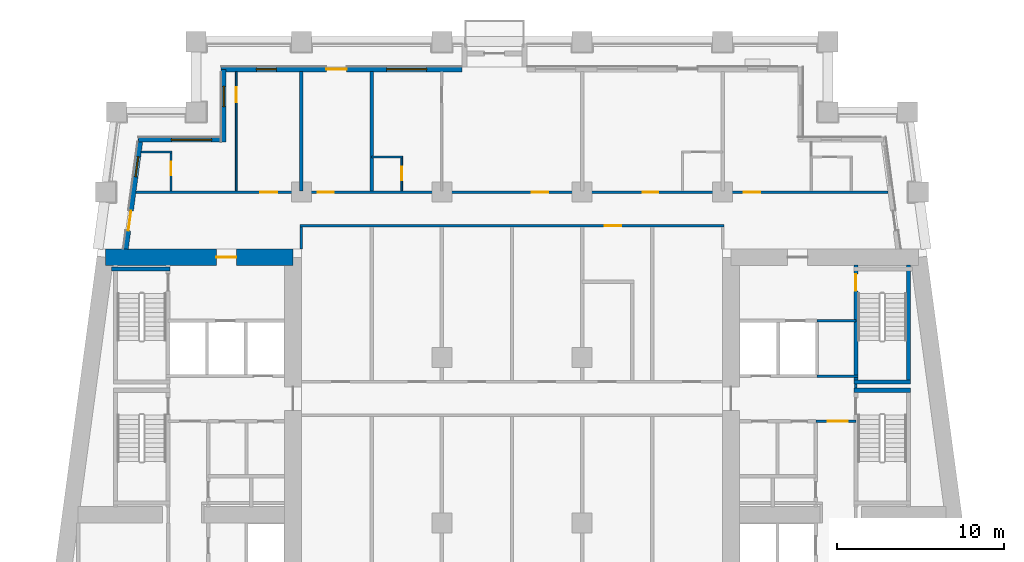
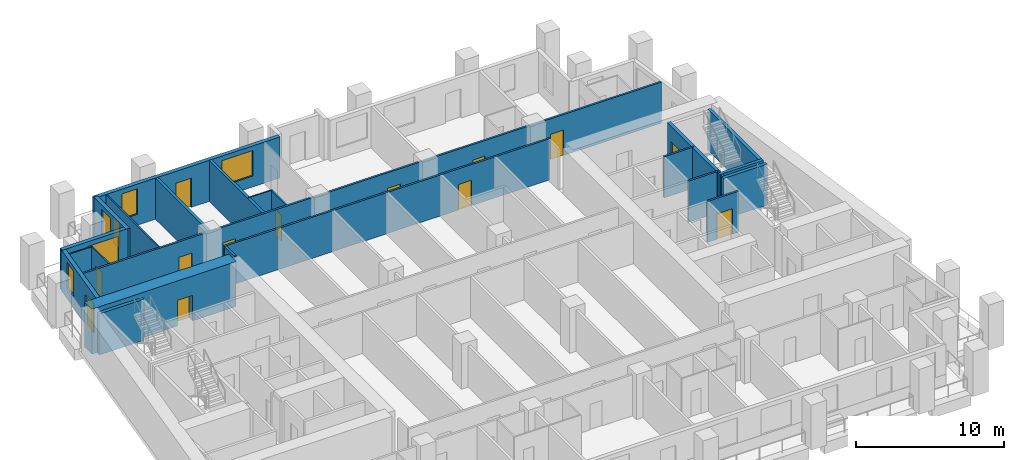
# One storey, part 6 of 13: 24 walls, 14 doors, 5 windows, 19 openings.
"""IFC4 building model written with IfcOpenShell, lengths in metres."""

from ifc_helpers import new_model, si_unit, direction, frame, frame_2d, origin, place, context, subcontext, project, spatial, rectangle, extrude, material, layer, layer_set, type_object, element, fill, save


model = new_model("IFC4")

# Units and contexts
model_context = context("Model", 3, precision=1e-05, world=origin(), true_north=direction((0.0, 1.0)))
body_context = subcontext(model_context, "Body", "Model", "MODEL_VIEW")
ifc_project = project(units=[si_unit("LENGTHUNIT", "METRE"), si_unit("AREAUNIT", "SQUARE_METRE"), si_unit("VOLUMEUNIT", "CUBIC_METRE"), si_unit("PLANEANGLEUNIT", "RADIAN"), si_unit("MASSUNIT", "GRAM", prefix="KILO")], contexts=[model_context])

# Site, building, storey
site_placement = place(None, origin())
site = spatial("IfcSite", under=ifc_project, at=site_placement, CompositionType="ELEMENT")
building_placement = place(site_placement, origin())
building = spatial("IfcBuilding", under=site, at=building_placement, Name="Candeia Pilgrim Tower and Theatre", CompositionType="ELEMENT")
storey_placement = place(building_placement, frame((0.0, 0.0, 98.39990234375)))
storey = spatial("IfcBuildingStorey", under=building, at=storey_placement, Name="L22", CompositionType="ELEMENT", Elevation=98.39990234375)

# Wall, opening, door
ifc_material_1 = material(Name="Concrete C70/85", Category="concrete")
ifc_layer_1 = layer(ifc_material_1, 1.0)
ifc_layer_set_1 = layer_set([ifc_layer_1], Name="Core wall 1000 C70/85")
wall_type_1 = type_object("IfcWallType", Name="Core wall 1000 C70/85", PredefinedType="SHEAR", material=ifc_layer_set_1)
wall_1_placement = place(storey_placement, frame((89.06787109375, 131.89990234375, 0.0), z_axis=(0.0, 0.0, 1.0), x_axis=(1.0, 0.0, 0.0)))
wall_1 = element("IfcWall", 1, at=wall_1_placement, inside=storey, type_object=wall_type_1, Name="Core wall W1", PredefinedType="SHEAR", context=body_context, shape_type="SweptSolid", body=[
    extrude(rectangle(XDim=11.232177734375, YDim=1.0, at=frame_2d((5.6162109375, 0.0))), origin(), (0.0, 0.0, 1.0), 3.7001953125),
])
opening_1_placement = place(wall_1_placement, frame((6.6455078125, 0.0, 0.0)))
opening_1 = element("IfcOpeningElement", 2, at=opening_1_placement, cuts=wall_1, Name="Opening L22-D060", PredefinedType="OPENING", context=body_context, shape_type="SweptSolid", body=[
    extrude(rectangle(XDim=1.199951171875, YDim=2.10009765625, at=frame_2d((0.60009765625, 1.050048828125))), frame((0.0, 0.510009765625, 0.0), z_axis=(0.0, -1.0, 0.0), x_axis=(1.0, 0.0, 0.0)), (0.0, 0.0, 1.0), 1.02001953125),
])
ifc_material_2 = material(Name="Steel fire door set", Category="steel")
door_type_1 = type_object("IfcDoorType", Name="D-1200-FD60", OperationType="NOTDEFINED", PredefinedType="DOOR", material=ifc_material_2)
door_1_placement = place(opening_1_placement, origin())
door_1 = element("IfcDoor", 3, at=door_1_placement, inside=storey, type_object=door_type_1, Name="Door L22-D060", OperationType="SINGLE_SWING_RIGHT", OverallHeight=2.10009765625, OverallWidth=1.199951171875, PredefinedType="DOOR", context=body_context, shape_type="SweptSolid", body=[
    extrude(rectangle(XDim=1.199951171875, YDim=2.10009765625, at=frame_2d((0.60009765625, 1.050048828125))), frame((0.0, 0.02490234375, 0.0), z_axis=(0.0, -1.0, 0.0), x_axis=(1.0, 0.0, 0.0)), (0.0, 0.0, 1.0), 0.050048828125),
])
fill(opening_1, door_1)

# Wall, openings, door, windows
ifc_material_3 = material(Name="Ceramic block masonry", Category="masonry")
ifc_layer_2 = layer(ifc_material_3, 0.300048828125)
ifc_layer_set_2 = layer_set([ifc_layer_2], Name="EW1 glazing-line wall 300")
wall_type_2 = type_object("IfcWallType", Name="EW1 glazing-line wall 300", PredefinedType="SOLIDWALL", material=ifc_layer_set_2)
wall_2_placement = place(storey_placement, frame((110.39990234375, 143.14990234375, 0.0), z_axis=(0.0, 0.0, 1.0), x_axis=(-1.0, 0.0, 0.0)))
wall_2 = element("IfcWall", 4, at=wall_2_placement, inside=storey, type_object=wall_type_2, Name="External wall L22-6.1", PredefinedType="SOLIDWALL", context=body_context, shape_type="SweptSolid", body=[
    extrude(rectangle(XDim=14.39990234375, YDim=0.300048828125, at=frame_2d((7.199951171875, 0.0))), origin(), (0.0, 0.0, 1.0), 3.380126953125),
])
opening_2_placement = place(wall_2_placement, frame((2.10009765625, 0.0, 0.89990234375)))
opening_2 = element("IfcOpeningElement", 5, at=opening_2_placement, cuts=wall_2, Name="Opening W-A", PredefinedType="OPENING", context=body_context, shape_type="SweptSolid", body=[
    extrude(rectangle(XDim=2.39990234375, YDim=2.10009765625, at=frame_2d((1.199951171875, 1.050048828125))), frame((0.0, 0.16015625, 0.0), z_axis=(0.0, -1.0, 0.0), x_axis=(1.0, 0.0, 0.0)), (0.0, 0.0, 1.0), 0.320068359375),
])
opening_3_placement = place(wall_2_placement, frame((6.89990234375, 0.0, 0.0)))
opening_3 = element("IfcOpeningElement", 6, at=opening_3_placement, cuts=wall_2, Name="Opening L22-ED229", PredefinedType="OPENING", context=body_context, shape_type="SweptSolid", body=[
    extrude(rectangle(XDim=1.199951171875, YDim=2.39990234375, at=frame_2d((0.60009765625, 1.199951171875))), frame((0.0, 0.16015625, 0.0), z_axis=(0.0, -1.0, 0.0), x_axis=(1.0, 0.0, 0.0)), (0.0, 0.0, 1.0), 0.320068359375),
])
opening_4_placement = place(wall_2_placement, frame((11.10009765625, 0.0, 0.89990234375)))
opening_4 = element("IfcOpeningElement", 7, at=opening_4_placement, cuts=wall_2, Name="Opening W-B", PredefinedType="OPENING", context=body_context, shape_type="SweptSolid", body=[
    extrude(rectangle(XDim=1.199951171875, YDim=2.10009765625, at=frame_2d((0.60009765625, 1.050048828125))), frame((0.0, 0.16015625, 0.0), z_axis=(0.0, -1.0, 0.0), x_axis=(1.0, 0.0, 0.0)), (0.0, 0.0, 1.0), 0.320068359375),
])
ifc_material_4 = material(Name="Aluminium framed glazed door", Category="aluminium")
door_type_2 = type_object("IfcDoorType", Name="Loggia door 1200x2400", OperationType="DOUBLE_DOOR_SINGLE_SWING", PredefinedType="DOOR", material=ifc_material_4)
door_2_placement = place(opening_3_placement, origin())
door_2 = element("IfcDoor", 8, at=door_2_placement, inside=storey, type_object=door_type_2, Name="Loggia door L22-ED229", OperationType="DOUBLE_DOOR_SINGLE_SWING", OverallHeight=2.39990234375, OverallWidth=1.199951171875, PredefinedType="DOOR", context=body_context, shape_type="SweptSolid", body=[
    extrude(rectangle(XDim=1.199951171875, YDim=2.39990234375, at=frame_2d((0.60009765625, 1.199951171875))), frame((0.0, 0.02490234375, 0.0), z_axis=(0.0, -1.0, 0.0), x_axis=(1.0, 0.0, 0.0)), (0.0, 0.0, 1.0), 0.050048828125),
])
fill(opening_3, door_2)
ifc_material_5 = material(Name="Aluminium framed double glazing", Category="aluminium")
window_type_1 = type_object("IfcWindowType", Name="W-A window 2400x2100", PartitioningType="DOUBLE_PANEL_VERTICAL", PredefinedType="WINDOW", material=ifc_material_5)
window_1_placement = place(opening_2_placement, origin())
window_1 = element("IfcWindow", 9, at=window_1_placement, inside=storey, type_object=window_type_1, Name="Window W-A L22", OverallHeight=2.10009765625, OverallWidth=2.39990234375, PartitioningType="SINGLE_PANEL", PredefinedType="WINDOW", context=body_context, shape_type="SweptSolid", body=[
    extrude(rectangle(XDim=2.39990234375, YDim=2.10009765625, at=frame_2d((1.199951171875, 1.050048828125))), frame((0.0, 0.030029296875, 0.0), z_axis=(0.0, -1.0, 0.0), x_axis=(1.0, 0.0, 0.0)), (0.0, 0.0, 1.0), 0.06005859375),
])
fill(opening_2, window_1)
window_type_2 = type_object("IfcWindowType", Name="W-B window 1200x2100", PartitioningType="SINGLE_PANEL", PredefinedType="WINDOW", material=ifc_material_5)
window_2_placement = place(opening_4_placement, origin())
window_2 = element("IfcWindow", 10, at=window_2_placement, inside=storey, type_object=window_type_2, Name="Window W-B L22", OverallHeight=2.10009765625, OverallWidth=1.199951171875, PartitioningType="SINGLE_PANEL", PredefinedType="WINDOW", context=body_context, shape_type="SweptSolid", body=[
    extrude(rectangle(XDim=1.199951171875, YDim=2.10009765625, at=frame_2d((0.60009765625, 1.050048828125))), frame((0.0, 0.030029296875, 0.0), z_axis=(0.0, -1.0, 0.0), x_axis=(1.0, 0.0, 0.0)), (0.0, 0.0, 1.0), 0.06005859375),
])
fill(opening_4, window_2)

# Wall, opening, window
wall_3_placement = place(storey_placement, frame((96.14990234375, 143.14990234375, 0.0), z_axis=(0.0, 0.0, 1.0), x_axis=(0.0, -1.0, 0.0)))
wall_3 = element("IfcWall", 11, at=wall_3_placement, inside=storey, type_object=wall_type_2, Name="External wall L22-7.0", PredefinedType="SOLIDWALL", context=body_context, shape_type="SweptSolid", body=[
    extrude(rectangle(XDim=4.349853515625, YDim=0.300048828125, at=frame_2d((2.1748046875, 0.0))), origin(), (0.0, 0.0, 1.0), 3.380126953125),
])
opening_5_placement = place(wall_3_placement, frame((1.02490234375, 0.0, 0.89990234375)))
opening_5 = element("IfcOpeningElement", 12, at=opening_5_placement, cuts=wall_3, Name="Opening W-B", PredefinedType="OPENING", context=body_context, shape_type="SweptSolid", body=[
    extrude(rectangle(XDim=1.199951171875, YDim=2.10009765625, at=frame_2d((0.60009765625, 1.050048828125))), frame((0.0, 0.16015625, 0.0), z_axis=(0.0, -1.0, 0.0), x_axis=(1.0, 0.0, 0.0)), (0.0, 0.0, 1.0), 0.320068359375),
])
window_3_placement = place(opening_5_placement, origin())
window_3 = element("IfcWindow", 13, at=window_3_placement, inside=storey, type_object=window_type_2, Name="Window W-B L22", OverallHeight=2.10009765625, OverallWidth=1.199951171875, PartitioningType="SINGLE_PANEL", PredefinedType="WINDOW", context=body_context, shape_type="SweptSolid", body=[
    extrude(rectangle(XDim=1.199951171875, YDim=2.10009765625, at=frame_2d((0.60009765625, 1.050048828125))), frame((0.0, 0.030029296875, 0.0), z_axis=(0.0, -1.0, 0.0), x_axis=(1.0, 0.0, 0.0)), (0.0, 0.0, 1.0), 0.06005859375),
])
fill(opening_5, window_3)

wall_4_placement = place(storey_placement, frame((96.14990234375, 138.949951171875, 0.0), z_axis=(0.0, 0.0, 1.0), x_axis=(-1.0, 0.0, 0.0)))
wall_4 = element("IfcWall", 14, at=wall_4_placement, inside=storey, type_object=wall_type_2, Name="External wall L22-8.0", PredefinedType="SOLIDWALL", context=body_context, shape_type="SweptSolid", body=[
    extrude(rectangle(XDim=5.103759765625, YDim=0.300048828125, at=frame_2d((2.5517578125, 0.0))), origin(), (0.0, 0.0, 1.0), 3.380126953125),
])
opening_6_placement = place(wall_4_placement, frame((0.72509765625, 0.0, 0.89990234375)))
opening_6 = element("IfcOpeningElement", 15, at=opening_6_placement, cuts=wall_4, Name="Opening W-A", PredefinedType="OPENING", context=body_context, shape_type="SweptSolid", body=[
    extrude(rectangle(XDim=2.39990234375, YDim=2.10009765625, at=frame_2d((1.199951171875, 1.050048828125))), frame((0.0, 0.16015625, 0.0), z_axis=(0.0, -1.0, 0.0), x_axis=(1.0, 0.0, 0.0)), (0.0, 0.0, 1.0), 0.320068359375),
])
window_4_placement = place(opening_6_placement, origin())
window_4 = element("IfcWindow", 16, at=window_4_placement, inside=storey, type_object=window_type_1, Name="Window W-A L22", OverallHeight=2.10009765625, OverallWidth=2.39990234375, PartitioningType="SINGLE_PANEL", PredefinedType="WINDOW", context=body_context, shape_type="SweptSolid", body=[
    extrude(rectangle(XDim=2.39990234375, YDim=2.10009765625, at=frame_2d((1.199951171875, 1.050048828125))), frame((0.0, 0.030029296875, 0.0), z_axis=(0.0, -1.0, 0.0), x_axis=(1.0, 0.0, 0.0)), (0.0, 0.0, 1.0), 0.06005859375),
])
fill(opening_6, window_4)

# Wall, openings, door, window
wall_5_placement = place(storey_placement, frame((91.177490234375, 138.949951171875, 0.0), z_axis=(0.0, 0.0, 1.0), x_axis=(-0.133426664613, -0.991058689065, 0.0)))
wall_5 = element("IfcWall", 17, at=wall_5_placement, inside=storey, type_object=wall_type_2, Name="External wall L22-9.0", PredefinedType="SOLIDWALL", context=body_context, shape_type="SweptSolid", body=[
    extrude(rectangle(XDim=6.609130859375, YDim=0.300048828125, at=frame_2d((3.3046875, 0.0))), origin(), (0.0, 0.0, 1.0), 3.380126953125),
])
opening_7_placement = place(wall_5_placement, frame((1.039306640625, 0.0, 0.89990234375)))
opening_7 = element("IfcOpeningElement", 18, at=opening_7_placement, cuts=wall_5, Name="Opening W-B", PredefinedType="OPENING", context=body_context, shape_type="SweptSolid", body=[
    extrude(rectangle(XDim=1.199951171875, YDim=2.10009765625, at=frame_2d((0.60009765625, 1.050048828125))), frame((0.0, 0.16015625, 0.0), z_axis=(0.0, -1.0, 0.0), x_axis=(1.0, 0.0, 0.0)), (0.0, 0.0, 1.0), 0.320068359375),
])
opening_8_placement = place(wall_5_placement, frame((4.293701171875, 0.0, 0.0)))
opening_8 = element("IfcOpeningElement", 19, at=opening_8_placement, cuts=wall_5, Name="Opening L22-ED231", PredefinedType="OPENING", context=body_context, shape_type="SweptSolid", body=[
    extrude(rectangle(XDim=1.199951171875, YDim=2.39990234375, at=frame_2d((0.60009765625, 1.199951171875))), frame((0.0, 0.16015625, 0.0), z_axis=(0.0, -1.0, 0.0), x_axis=(1.0, 0.0, 0.0)), (0.0, 0.0, 1.0), 0.320068359375),
])
door_3_placement = place(opening_8_placement, origin())
door_3 = element("IfcDoor", 20, at=door_3_placement, inside=storey, type_object=door_type_2, Name="Loggia door L22-ED231", OperationType="DOUBLE_DOOR_SINGLE_SWING", OverallHeight=2.39990234375, OverallWidth=1.199951171875, PredefinedType="DOOR", context=body_context, shape_type="SweptSolid", body=[
    extrude(rectangle(XDim=1.199951171875, YDim=2.39990234375, at=frame_2d((0.60009765625, 1.199951171875))), frame((0.0, 0.02490234375, 0.0), z_axis=(0.0, -1.0, 0.0), x_axis=(1.0, 0.0, 0.0)), (0.0, 0.0, 1.0), 0.050048828125),
])
fill(opening_8, door_3)
window_5_placement = place(opening_7_placement, origin())
window_5 = element("IfcWindow", 21, at=window_5_placement, inside=storey, type_object=window_type_2, Name="Window W-B L22", OverallHeight=2.10009765625, OverallWidth=1.199951171875, PartitioningType="SINGLE_PANEL", PredefinedType="WINDOW", context=body_context, shape_type="SweptSolid", body=[
    extrude(rectangle(XDim=1.199951171875, YDim=2.10009765625, at=frame_2d((0.60009765625, 1.050048828125))), frame((0.0, 0.030029296875, 0.0), z_axis=(0.0, -1.0, 0.0), x_axis=(1.0, 0.0, 0.0)), (0.0, 0.0, 1.0), 0.06005859375),
])
fill(opening_7, window_5)

# Walls
ifc_material_6 = material(Name="Gypsum board partition on steel studs", Category="steel")
ifc_layer_3 = layer(ifc_material_6, 0.10009765625)
ifc_layer_set_3 = layer_set([ifc_layer_3], Name="PW-100 room partition")
wall_type_3 = type_object("IfcWallType", Name="PW-100 room partition", PredefinedType="PARTITIONING", material=ifc_layer_set_3)
wall_6_placement = place(storey_placement, frame((105.0, 137.89990234375, 0.0), z_axis=(0.0, 0.0, 1.0), x_axis=(1.0, 0.0, 0.0)))
element("IfcWall", 22, at=wall_6_placement, inside=storey, type_object=wall_type_3, Name="Room partition L22-044", PredefinedType="PARTITIONING", context=body_context, shape_type="SweptSolid", body=[
    extrude(rectangle(XDim=1.85009765625, YDim=0.10009765625, at=frame_2d((0.925048828125, 0.0))), origin(), (0.0, 0.0, 1.0), 3.380126953125),
])
wall_7_placement = place(storey_placement, frame((91.2177734375, 138.199951171875, 0.0), z_axis=(0.0, 0.0, 1.0), x_axis=(1.0, 0.0, 0.0)))
element("IfcWall", 23, at=wall_7_placement, inside=storey, type_object=wall_type_3, Name="Room partition L22-046", PredefinedType="PARTITIONING", context=body_context, shape_type="SweptSolid", body=[
    extrude(rectangle(XDim=1.832275390625, YDim=0.10009765625, at=frame_2d((0.916015625, 0.0))), origin(), (0.0, 0.0, 1.0), 3.380126953125),
])

# Wall, opening, door
wall_8_placement = place(storey_placement, frame((93.0, 135.875, 0.0), z_axis=(0.0, 0.0, 1.0), x_axis=(0.0, 1.0, 0.0)))
wall_8 = element("IfcWall", 24, at=wall_8_placement, inside=storey, type_object=wall_type_3, Name="Room partition L22-059", PredefinedType="PARTITIONING", context=body_context, shape_type="SweptSolid", body=[
    extrude(rectangle(XDim=2.27490234375, YDim=0.10009765625, at=frame_2d((1.137451171875, 0.0))), origin(), (0.0, 0.0, 1.0), 3.380126953125),
])
opening_9_placement = place(wall_8_placement, frame((0.949951171875, 0.0, 0.0)))
opening_9 = element("IfcOpeningElement", 25, at=opening_9_placement, cuts=wall_8, Name="Opening L22-D036", PredefinedType="OPENING", context=body_context, shape_type="SweptSolid", body=[
    extrude(rectangle(XDim=0.800048828125, YDim=2.10009765625, at=frame_2d((0.39990234375, 1.050048828125))), frame((0.0, 0.06005859375, 0.0), z_axis=(0.0, -1.0, 0.0), x_axis=(1.0, 0.0, 0.0)), (0.0, 0.0, 1.0), 0.1201171875),
])
ifc_material_7 = material(Name="Timber door leaf", Category="wood")
door_type_3 = type_object("IfcDoorType", Name="D-800", OperationType="NOTDEFINED", PredefinedType="DOOR", material=ifc_material_7)
door_4_placement = place(opening_9_placement, origin())
door_4 = element("IfcDoor", 26, at=door_4_placement, inside=storey, type_object=door_type_3, Name="Door L22-D036", OperationType="SINGLE_SWING_RIGHT", OverallHeight=2.10009765625, OverallWidth=0.800048828125, PredefinedType="DOOR", context=body_context, shape_type="SweptSolid", body=[
    extrude(rectangle(XDim=0.800048828125, YDim=2.10009765625, at=frame_2d((0.39990234375, 1.050048828125))), frame((0.0, 0.02490234375, 0.0), z_axis=(0.0, -1.0, 0.0), x_axis=(1.0, 0.0, 0.0)), (0.0, 0.0, 1.0), 0.050048828125),
])
fill(opening_9, door_4)

wall_9_placement = place(storey_placement, frame((96.89990234375, 135.875, 0.0), z_axis=(0.0, 0.0, 1.0), x_axis=(0.0, 1.0, 0.0)))
wall_9 = element("IfcWall", 27, at=wall_9_placement, inside=storey, type_object=wall_type_3, Name="Room partition L22-066", PredefinedType="PARTITIONING", context=body_context, shape_type="SweptSolid", body=[
    extrude(rectangle(XDim=7.135009765625, YDim=0.10009765625, at=frame_2d((3.5673828125, 0.0))), origin(), (0.0, 0.0, 1.0), 3.380126953125),
])
opening_10_placement = place(wall_9_placement, frame((5.2900390625, 0.0, 0.0)))
opening_10 = element("IfcOpeningElement", 28, at=opening_10_placement, cuts=wall_9, Name="Opening L22-D035", PredefinedType="OPENING", context=body_context, shape_type="SweptSolid", body=[
    extrude(rectangle(XDim=0.89990234375, YDim=2.10009765625, at=frame_2d((0.449951171875, 1.050048828125))), frame((0.0, 0.06005859375, 0.0), z_axis=(0.0, -1.0, 0.0), x_axis=(1.0, 0.0, 0.0)), (0.0, 0.0, 1.0), 0.1201171875),
])
door_type_4 = type_object("IfcDoorType", Name="D-900", OperationType="NOTDEFINED", PredefinedType="DOOR", material=ifc_material_7)
door_5_placement = place(opening_10_placement, origin())
door_5 = element("IfcDoor", 29, at=door_5_placement, inside=storey, type_object=door_type_4, Name="Door L22-D035", OperationType="SINGLE_SWING_LEFT", OverallHeight=2.10009765625, OverallWidth=0.89990234375, PredefinedType="DOOR", context=body_context, shape_type="SweptSolid", body=[
    extrude(rectangle(XDim=0.89990234375, YDim=2.10009765625, at=frame_2d((0.449951171875, 1.050048828125))), frame((0.0, 0.02490234375, 0.0), z_axis=(0.0, -1.0, 0.0), x_axis=(1.0, 0.0, 0.0)), (0.0, 0.0, 1.0), 0.050048828125),
])
fill(opening_10, door_5)

wall_10_placement = place(storey_placement, frame((106.800048828125, 135.875, 0.0), z_axis=(0.0, 0.0, 1.0), x_axis=(0.0, 1.0, 0.0)))
wall_10 = element("IfcWall", 30, at=wall_10_placement, inside=storey, type_object=wall_type_3, Name="Room partition L22-080", PredefinedType="PARTITIONING", context=body_context, shape_type="SweptSolid", body=[
    extrude(rectangle(XDim=1.97509765625, YDim=0.10009765625, at=frame_2d((0.987548828125, 0.0))), origin(), (0.0, 0.0, 1.0), 3.380126953125),
])
opening_11_placement = place(wall_10_placement, frame((0.635009765625, 0.0, 0.0)))
opening_11 = element("IfcOpeningElement", 31, at=opening_11_placement, cuts=wall_10, Name="Opening L22-D040", PredefinedType="OPENING", context=body_context, shape_type="SweptSolid", body=[
    extrude(rectangle(XDim=0.800048828125, YDim=2.10009765625, at=frame_2d((0.39990234375, 1.050048828125))), frame((0.0, 0.06005859375, 0.0), z_axis=(0.0, -1.0, 0.0), x_axis=(1.0, 0.0, 0.0)), (0.0, 0.0, 1.0), 0.1201171875),
])
door_6_placement = place(opening_11_placement, origin())
door_6 = element("IfcDoor", 32, at=door_6_placement, inside=storey, type_object=door_type_3, Name="Door L22-D040", OperationType="SINGLE_SWING_RIGHT", OverallHeight=2.10009765625, OverallWidth=0.800048828125, PredefinedType="DOOR", context=body_context, shape_type="SweptSolid", body=[
    extrude(rectangle(XDim=0.800048828125, YDim=2.10009765625, at=frame_2d((0.39990234375, 1.050048828125))), frame((0.0, 0.02490234375, 0.0), z_axis=(0.0, -1.0, 0.0), x_axis=(1.0, 0.0, 0.0)), (0.0, 0.0, 1.0), 0.050048828125),
])
fill(opening_11, door_6)

ifc_layer_4 = layer(ifc_material_6, 0.14990234375)
ifc_layer_set_4 = layer_set([ifc_layer_4], Name="PW-150 lobby wall")
wall_type_4 = type_object("IfcWallType", Name="PW-150 lobby wall", PredefinedType="PARTITIONING", material=ifc_layer_set_4)
wall_11_placement = place(storey_placement, frame((131.572998046875, 122.10009765625, 0.0), z_axis=(0.0, 0.0, 1.0), x_axis=(1.0, 0.0, 0.0)))
wall_11 = element("IfcWall", 33, at=wall_11_placement, inside=storey, type_object=wall_type_4, Name="Lobby wall L22-026", PredefinedType="PARTITIONING", context=body_context, shape_type="SweptSolid", body=[
    extrude(rectangle(XDim=2.39990234375, YDim=0.14990234375, at=frame_2d((1.199951171875, 0.0))), origin(), (0.0, 0.0, 1.0), 3.380126953125),
])
opening_12_placement = place(wall_11_placement, frame((0.72509765625, 0.0, 0.0)))
opening_12 = element("IfcOpeningElement", 34, at=opening_12_placement, cuts=wall_11, Name="Opening L22-D009", PredefinedType="OPENING", context=body_context, shape_type="SweptSolid", body=[
    extrude(rectangle(XDim=1.199951171875, YDim=2.10009765625, at=frame_2d((0.60009765625, 1.050048828125))), frame((0.0, 0.0849609375, 0.0), z_axis=(0.0, -1.0, 0.0), x_axis=(1.0, 0.0, 0.0)), (0.0, 0.0, 1.0), 0.169921875),
])
door_7_placement = place(opening_12_placement, origin())
door_7 = element("IfcDoor", 35, at=door_7_placement, inside=storey, type_object=door_type_1, Name="Door L22-D009", OperationType="SINGLE_SWING_RIGHT", OverallHeight=2.10009765625, OverallWidth=1.199951171875, PredefinedType="DOOR", context=body_context, shape_type="SweptSolid", body=[
    extrude(rectangle(XDim=1.199951171875, YDim=2.10009765625, at=frame_2d((0.60009765625, 1.050048828125))), frame((0.0, 0.02490234375, 0.0), z_axis=(0.0, -1.0, 0.0), x_axis=(1.0, 0.0, 0.0)), (0.0, 0.0, 1.0), 0.050048828125),
])
fill(opening_12, door_7)

# Walls
wall_12_placement = place(storey_placement, frame((131.648681640625, 124.800048828125, 0.0), z_axis=(0.0, 0.0, 1.0), x_axis=(1.0, 0.0, 0.0)))
element("IfcWall", 36, at=wall_12_placement, inside=storey, type_object=wall_type_4, Name="Lobby wall L22-035", PredefinedType="PARTITIONING", context=body_context, shape_type="SweptSolid", body=[
    extrude(rectangle(XDim=2.44921875, YDim=0.14990234375, at=frame_2d((1.224609375, 0.0))), origin(), (0.0, 0.0, 1.0), 3.380126953125),
])
wall_13_placement = place(storey_placement, frame((131.648681640625, 128.10009765625, 0.0), z_axis=(0.0, 0.0, 1.0), x_axis=(1.0, 0.0, 0.0)))
element("IfcWall", 37, at=wall_13_placement, inside=storey, type_object=wall_type_4, Name="Lobby wall L22-038", PredefinedType="PARTITIONING", context=body_context, shape_type="SweptSolid", body=[
    extrude(rectangle(XDim=2.32421875, YDim=0.14990234375, at=frame_2d((1.162109375, 0.0))), origin(), (0.0, 0.0, 1.0), 3.380126953125),
])
wall_14_placement = place(storey_placement, frame((133.972900390625, 124.074951171875, 0.0), z_axis=(0.0, 0.0, 1.0), x_axis=(0.0, 1.0, 0.0)))
element("IfcWall", 38, at=wall_14_placement, inside=storey, type_object=wall_type_4, Name="Lobby wall L22-116", PredefinedType="PARTITIONING", context=body_context, shape_type="SweptSolid", body=[
    extrude(rectangle(XDim=0.25, YDim=0.14990234375, at=frame_2d((0.125, 0.0))), origin(), (0.0, 0.0, 1.0), 3.380126953125),
])

# Wall, opening, door
ifc_layer_5 = layer(ifc_material_6, 0.14990234375)
ifc_layer_set_5 = layer_set([ifc_layer_5], Name="PW-150 unit wall")
wall_type_5 = type_object("IfcWallType", Name="PW-150 unit wall", PredefinedType="PARTITIONING", material=ifc_layer_set_5)
wall_15_placement = place(storey_placement, frame((100.72509765625, 133.800048828125, 0.0), z_axis=(0.0, 0.0, 1.0), x_axis=(1.0, 0.0, 0.0)))
wall_15 = element("IfcWall", 39, at=wall_15_placement, inside=storey, type_object=wall_type_5, Name="Unit wall L22-042", PredefinedType="PARTITIONING", context=body_context, shape_type="SweptSolid", body=[
    extrude(rectangle(XDim=25.349853515625, YDim=0.14990234375, at=frame_2d((12.6748046875, 0.0))), origin(), (0.0, 0.0, 1.0), 3.380126953125),
])
opening_13_placement = place(wall_15_placement, frame((18.22509765625, 0.0, 0.0)))
opening_13 = element("IfcOpeningElement", 40, at=opening_13_placement, cuts=wall_15, Name="Opening L22-D046", PredefinedType="OPENING", context=body_context, shape_type="SweptSolid", body=[
    extrude(rectangle(XDim=1.0, YDim=2.10009765625, at=frame_2d((0.5, 1.050048828125))), frame((0.0, 0.0849609375, 0.0), z_axis=(0.0, -1.0, 0.0), x_axis=(1.0, 0.0, 0.0)), (0.0, 0.0, 1.0), 0.169921875),
])
door_type_5 = type_object("IfcDoorType", Name="D-1000-FD30S", OperationType="NOTDEFINED", PredefinedType="DOOR", material=ifc_material_2)
door_8_placement = place(opening_13_placement, origin())
door_8 = element("IfcDoor", 41, at=door_8_placement, inside=storey, type_object=door_type_5, Name="Door L22-D046", OperationType="SINGLE_SWING_RIGHT", OverallHeight=2.10009765625, OverallWidth=1.0, PredefinedType="DOOR", context=body_context, shape_type="SweptSolid", body=[
    extrude(rectangle(XDim=1.0, YDim=2.10009765625, at=frame_2d((0.5, 1.050048828125))), frame((0.0, 0.02490234375, 0.0), z_axis=(0.0, -1.0, 0.0), x_axis=(1.0, 0.0, 0.0)), (0.0, 0.0, 1.0), 0.050048828125),
])
fill(opening_13, door_8)

# Wall, openings, doors
wall_16_placement = place(storey_placement, frame((90.89453125, 135.800048828125, 0.0), z_axis=(0.0, 0.0, 1.0), x_axis=(1.0, 0.0, 0.0)))
wall_16 = element("IfcWall", 42, at=wall_16_placement, inside=storey, type_object=wall_type_5, Name="Unit wall L22-043", PredefinedType="PARTITIONING", context=body_context, shape_type="SweptSolid", body=[
    extrude(rectangle(XDim=45.010986328125, YDim=0.14990234375, at=frame_2d((22.50537109375, 0.0))), origin(), (0.0, 0.0, 1.0), 3.380126953125),
])
opening_14_placement = place(wall_16_placement, frame((7.455322265625, 0.0, 0.0)))
opening_14 = element("IfcOpeningElement", 43, at=opening_14_placement, cuts=wall_16, Name="Opening L22-D034", PredefinedType="OPENING", context=body_context, shape_type="SweptSolid", body=[
    extrude(rectangle(XDim=1.0, YDim=2.10009765625, at=frame_2d((0.5, 1.050048828125))), frame((0.0, 0.0849609375, 0.0), z_axis=(0.0, -1.0, 0.0), x_axis=(1.0, 0.0, 0.0)), (0.0, 0.0, 1.0), 0.169921875),
])
opening_15_placement = place(wall_16_placement, frame((10.892333984375, 0.0, 0.0)))
opening_15 = element("IfcOpeningElement", 44, at=opening_15_placement, cuts=wall_16, Name="Opening L22-D037", PredefinedType="OPENING", context=body_context, shape_type="SweptSolid", body=[
    extrude(rectangle(XDim=0.949951171875, YDim=2.10009765625, at=frame_2d((0.47509765625, 1.050048828125))), frame((0.0, 0.0849609375, 0.0), z_axis=(0.0, -1.0, 0.0), x_axis=(1.0, 0.0, 0.0)), (0.0, 0.0, 1.0), 0.169921875),
])
opening_16_placement = place(wall_16_placement, frame((23.680419921875, 0.0, 0.0)))
opening_16 = element("IfcOpeningElement", 45, at=opening_16_placement, cuts=wall_16, Name="Opening L22-D038", PredefinedType="OPENING", context=body_context, shape_type="SweptSolid", body=[
    extrude(rectangle(XDim=1.0, YDim=2.10009765625, at=frame_2d((0.5, 1.050048828125))), frame((0.0, 0.0849609375, 0.0), z_axis=(0.0, -1.0, 0.0), x_axis=(1.0, 0.0, 0.0)), (0.0, 0.0, 1.0), 0.169921875),
])
opening_17_placement = place(wall_16_placement, frame((30.318359375, 0.0, 0.0)))
opening_17 = element("IfcOpeningElement", 46, at=opening_17_placement, cuts=wall_16, Name="Opening L22-D041", PredefinedType="OPENING", context=body_context, shape_type="SweptSolid", body=[
    extrude(rectangle(XDim=0.949951171875, YDim=2.10009765625, at=frame_2d((0.47509765625, 1.050048828125))), frame((0.0, 0.0849609375, 0.0), z_axis=(0.0, -1.0, 0.0), x_axis=(1.0, 0.0, 0.0)), (0.0, 0.0, 1.0), 0.169921875),
])
opening_18_placement = place(wall_16_placement, frame((36.35546875, 0.0, 0.0)))
opening_18 = element("IfcOpeningElement", 47, at=opening_18_placement, cuts=wall_16, Name="Opening L22-D043", PredefinedType="OPENING", context=body_context, shape_type="SweptSolid", body=[
    extrude(rectangle(XDim=1.0, YDim=2.10009765625, at=frame_2d((0.5, 1.050048828125))), frame((0.0, 0.0849609375, 0.0), z_axis=(0.0, -1.0, 0.0), x_axis=(1.0, 0.0, 0.0)), (0.0, 0.0, 1.0), 0.169921875),
])
door_9_placement = place(opening_14_placement, origin())
door_9 = element("IfcDoor", 48, at=door_9_placement, inside=storey, type_object=door_type_5, Name="Door L22-D034", OperationType="SINGLE_SWING_RIGHT", OverallHeight=2.10009765625, OverallWidth=1.0, PredefinedType="DOOR", context=body_context, shape_type="SweptSolid", body=[
    extrude(rectangle(XDim=1.0, YDim=2.10009765625, at=frame_2d((0.5, 1.050048828125))), frame((0.0, 0.02490234375, 0.0), z_axis=(0.0, -1.0, 0.0), x_axis=(1.0, 0.0, 0.0)), (0.0, 0.0, 1.0), 0.050048828125),
])
fill(opening_14, door_9)
door_10_placement = place(opening_16_placement, origin())
door_10 = element("IfcDoor", 49, at=door_10_placement, inside=storey, type_object=door_type_5, Name="Door L22-D038", OperationType="SINGLE_SWING_RIGHT", OverallHeight=2.10009765625, OverallWidth=1.0, PredefinedType="DOOR", context=body_context, shape_type="SweptSolid", body=[
    extrude(rectangle(XDim=1.0, YDim=2.10009765625, at=frame_2d((0.5, 1.050048828125))), frame((0.0, 0.02490234375, 0.0), z_axis=(0.0, -1.0, 0.0), x_axis=(1.0, 0.0, 0.0)), (0.0, 0.0, 1.0), 0.050048828125),
])
fill(opening_16, door_10)
door_11_placement = place(opening_18_placement, origin())
door_11 = element("IfcDoor", 50, at=door_11_placement, inside=storey, type_object=door_type_5, Name="Door L22-D043", OperationType="SINGLE_SWING_LEFT", OverallHeight=2.10009765625, OverallWidth=1.0, PredefinedType="DOOR", context=body_context, shape_type="SweptSolid", body=[
    extrude(rectangle(XDim=1.0, YDim=2.10009765625, at=frame_2d((0.5, 1.050048828125))), frame((0.0, 0.02490234375, 0.0), z_axis=(0.0, -1.0, 0.0), x_axis=(1.0, 0.0, 0.0)), (0.0, 0.0, 1.0), 0.050048828125),
])
fill(opening_18, door_11)
door_type_6 = type_object("IfcDoorType", Name="D-950-FD30S", OperationType="NOTDEFINED", PredefinedType="DOOR", material=ifc_material_2)
door_12_placement = place(opening_15_placement, origin())
door_12 = element("IfcDoor", 51, at=door_12_placement, inside=storey, type_object=door_type_6, Name="Door L22-D037", OperationType="SINGLE_SWING_LEFT", OverallHeight=2.10009765625, OverallWidth=0.949951171875, PredefinedType="DOOR", context=body_context, shape_type="SweptSolid", body=[
    extrude(rectangle(XDim=0.949951171875, YDim=2.10009765625, at=frame_2d((0.47509765625, 1.050048828125))), frame((0.0, 0.02490234375, 0.0), z_axis=(0.0, -1.0, 0.0), x_axis=(1.0, 0.0, 0.0)), (0.0, 0.0, 1.0), 0.050048828125),
])
fill(opening_15, door_12)
door_13_placement = place(opening_17_placement, origin())
door_13 = element("IfcDoor", 52, at=door_13_placement, inside=storey, type_object=door_type_6, Name="Door L22-D041", OperationType="SINGLE_SWING_LEFT", OverallHeight=2.10009765625, OverallWidth=0.949951171875, PredefinedType="DOOR", context=body_context, shape_type="SweptSolid", body=[
    extrude(rectangle(XDim=0.949951171875, YDim=2.10009765625, at=frame_2d((0.47509765625, 1.050048828125))), frame((0.0, 0.02490234375, 0.0), z_axis=(0.0, -1.0, 0.0), x_axis=(1.0, 0.0, 0.0)), (0.0, 0.0, 1.0), 0.050048828125),
])
fill(opening_17, door_13)

# Walls
wall_17_placement = place(storey_placement, frame((100.800048828125, 132.39990234375, 0.0), z_axis=(0.0, 0.0, 1.0), x_axis=(0.0, 1.0, 0.0)))
element("IfcWall", 53, at=wall_17_placement, inside=storey, type_object=wall_type_5, Name="Unit wall L22-074", PredefinedType="PARTITIONING", context=body_context, shape_type="SweptSolid", body=[
    extrude(rectangle(XDim=1.3251953125, YDim=0.14990234375, at=frame_2d((0.66259765625, 0.0))), origin(), (0.0, 0.0, 1.0), 3.380126953125),
])
ifc_layer_6 = layer(ifc_material_6, 0.199951171875)
ifc_layer_set_6 = layer_set([ifc_layer_6], Name="PW-200 party wall")
wall_type_6 = type_object("IfcWallType", Name="PW-200 party wall", PredefinedType="PARTITIONING", material=ifc_layer_set_6)
for number, where, z_axis, x_axis, name in (
    (54, (100.800048828125, 135.875, 0.0), (0.0, 0.0, 1.0), (0.0, 1.0, 0.0), "Party wall L22-072"),
    (55, (105.0, 135.875, 0.0), (0.0, 0.0, 1.0), (0.0, 1.0, 0.0), "Party wall L22-078"),
):
    element("IfcWall", number, at=place(storey_placement, frame(where, z_axis=z_axis, x_axis=x_axis)), inside=storey, type_object=wall_type_6, Name=name, PredefinedType="PARTITIONING", context=body_context, shape_type="SweptSolid", body=[
        extrude(rectangle(XDim=7.135009765625, YDim=0.199951171875, at=frame_2d((3.5673828125, 0.0))), origin(), (0.0, 0.0, 1.0), 3.380126953125),
    ])
ifc_material_8 = material(Name="Concrete C40/50", Category="concrete")
ifc_layer_7 = layer(ifc_material_8, 0.25)
ifc_layer_set_7 = layer_set([ifc_layer_7], Name="SW-250 stair wall")
wall_type_7 = type_object("IfcWallType", Name="SW-250 stair wall", PredefinedType="PARTITIONING", material=ifc_layer_set_7)
for number, where, z_axis, x_axis, name in (
    (56, (133.847900390625, 123.949951171875, 0.0), (0.0, 0.0, 1.0), (1.0, 0.0, 0.0), "Stair wall L22-029"),
    (57, (133.847900390625, 124.449951171875, 0.0), (0.0, 0.0, 1.0), (1.0, 0.0, 0.0), "Stair wall L22-031"),
):
    element("IfcWall", number, at=place(storey_placement, frame(where, z_axis=z_axis, x_axis=x_axis)), inside=storey, type_object=wall_type_7, Name=name, PredefinedType="PARTITIONING", context=body_context, shape_type="SweptSolid", body=[
        extrude(rectangle(XDim=3.400146484375, YDim=0.25, at=frame_2d((1.7001953125, 0.0))), origin(), (0.0, 0.0, 1.0), 3.380126953125),
    ])
wall_18_placement = place(storey_placement, frame((89.4482421875, 131.199951171875, 0.0), z_axis=(0.0, 0.0, 1.0), x_axis=(1.0, 0.0, 0.0)))
element("IfcWall", 58, at=wall_18_placement, inside=storey, type_object=wall_type_7, Name="Stair wall L22-040", PredefinedType="PARTITIONING", context=body_context, shape_type="SweptSolid", body=[
    extrude(rectangle(XDim=3.503662109375, YDim=0.25, at=frame_2d((1.751953125, 0.0))), origin(), (0.0, 0.0, 1.0), 3.380126953125),
])

# Wall, opening, door
wall_19_placement = place(storey_placement, frame((133.972900390625, 124.574951171875, 0.0), z_axis=(0.0, 0.0, 1.0), x_axis=(0.0, 1.0, 0.0)))
wall_19 = element("IfcWall", 59, at=wall_19_placement, inside=storey, type_object=wall_type_7, Name="Stair wall L22-118", PredefinedType="PARTITIONING", context=body_context, shape_type="SweptSolid", body=[
    extrude(rectangle(XDim=6.85498046875, YDim=0.25, at=frame_2d((3.427490234375, 0.0))), origin(), (0.0, 0.0, 1.0), 3.380126953125),
])
opening_19_placement = place(wall_19_placement, frame((5.324951171875, 0.0, 0.0)))
opening_19 = element("IfcOpeningElement", 60, at=opening_19_placement, cuts=wall_19, Name="Opening L22-D013", PredefinedType="OPENING", context=body_context, shape_type="SweptSolid", body=[
    extrude(rectangle(XDim=1.0, YDim=2.10009765625, at=frame_2d((0.5, 1.050048828125))), frame((0.0, 0.135009765625, 0.0), z_axis=(0.0, -1.0, 0.0), x_axis=(1.0, 0.0, 0.0)), (0.0, 0.0, 1.0), 0.27001953125),
])
door_type_7 = type_object("IfcDoorType", Name="D-1000-FD60", OperationType="NOTDEFINED", PredefinedType="DOOR", material=ifc_material_2)
door_14_placement = place(opening_19_placement, origin())
door_14 = element("IfcDoor", 61, at=door_14_placement, inside=storey, type_object=door_type_7, Name="Door L22-D013", OperationType="SINGLE_SWING_RIGHT", OverallHeight=2.10009765625, OverallWidth=1.0, PredefinedType="DOOR", context=body_context, shape_type="SweptSolid", body=[
    extrude(rectangle(XDim=1.0, YDim=2.10009765625, at=frame_2d((0.5, 1.050048828125))), frame((0.0, 0.02490234375, 0.0), z_axis=(0.0, -1.0, 0.0), x_axis=(1.0, 0.0, 0.0)), (0.0, 0.0, 1.0), 0.050048828125),
])
fill(opening_19, door_14)

# Wall
wall_20_placement = place(storey_placement, frame((137.123046875, 124.574951171875, 0.0), z_axis=(0.0, 0.0, 1.0), x_axis=(0.0, 1.0, 0.0)))
element("IfcWall", 62, at=wall_20_placement, inside=storey, type_object=wall_type_7, Name="Stair wall L22-122", PredefinedType="PARTITIONING", context=body_context, shape_type="SweptSolid", body=[
    extrude(rectangle(XDim=6.85498046875, YDim=0.25, at=frame_2d((3.427490234375, 0.0))), origin(), (0.0, 0.0, 1.0), 3.380126953125),
])

save(model, "model.ifc")
